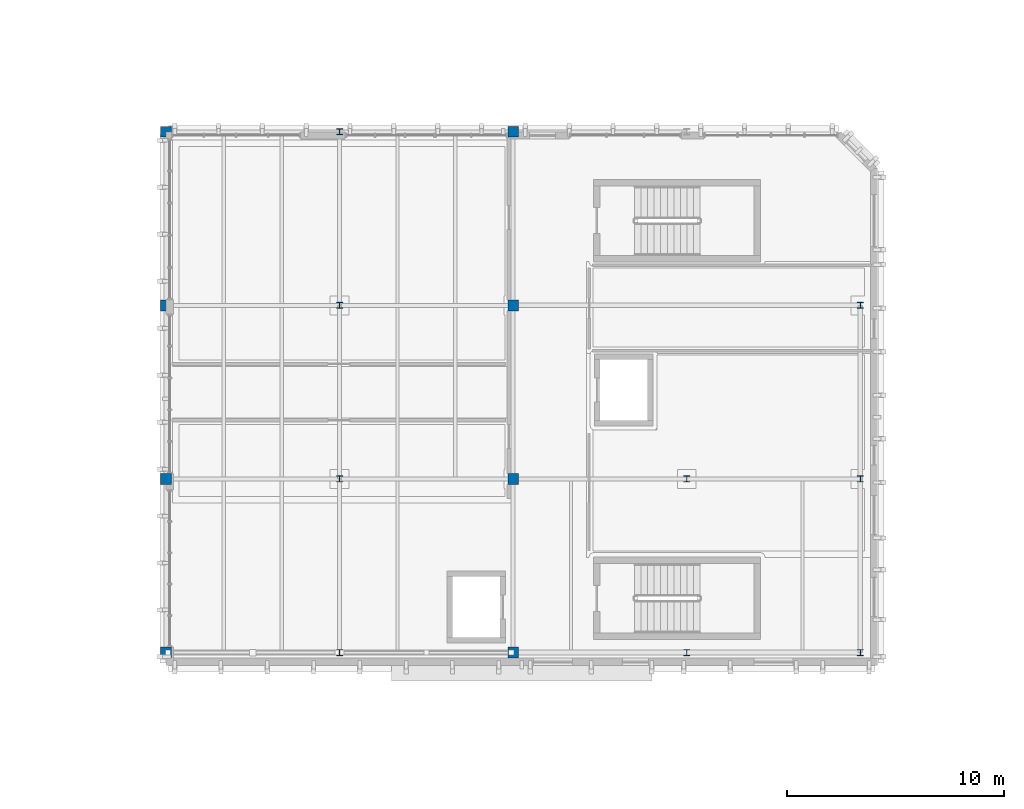
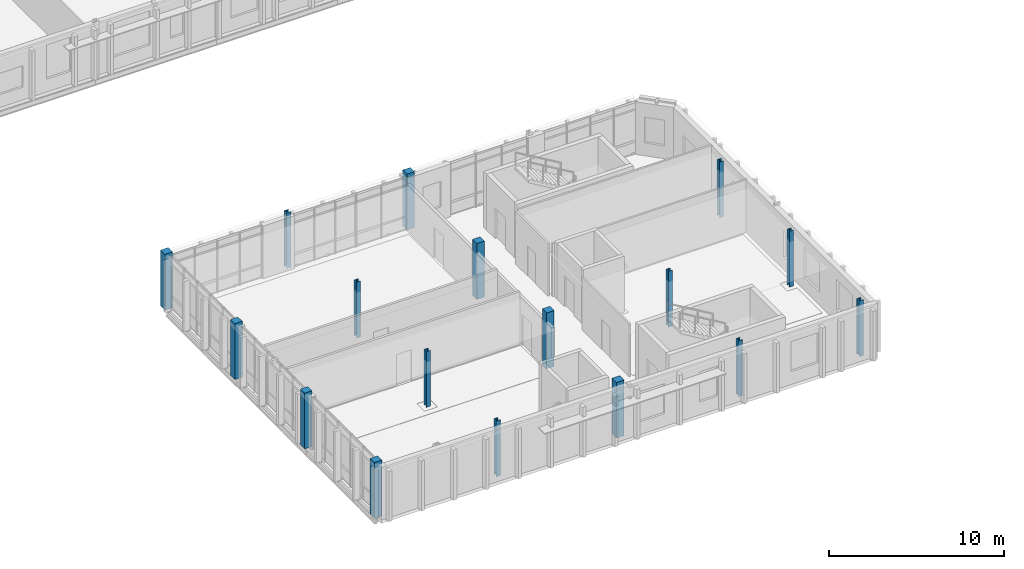
# One storey, part 1 of 40: 17 columns.
"""IFC4 building model written with IfcOpenShell, lengths in metres."""

from ifc_helpers import new_model, si_unit, direction, frame, origin, origin_2d, place, context, subcontext, project, spatial, rectangle, i_section, extrude, material, material_profile, profile_set, type_object, element, save


model = new_model("IFC4")

# Units and contexts
model_context = context("Model", 3, precision=1e-05, world=origin(), true_north=direction((0.0, 1.0)))
body_context = subcontext(model_context, "Body", "Model", "MODEL_VIEW")
ifc_project = project(units=[si_unit("LENGTHUNIT", "METRE"), si_unit("AREAUNIT", "SQUARE_METRE"), si_unit("VOLUMEUNIT", "CUBIC_METRE"), si_unit("PLANEANGLEUNIT", "RADIAN"), si_unit("MASSUNIT", "GRAM", prefix="KILO")], contexts=[model_context])

# Site, building, storey
site_placement = place(None, origin())
site = spatial("IfcSite", under=ifc_project, at=site_placement, CompositionType="ELEMENT")
building_placement = place(site_placement, origin())
building = spatial("IfcBuilding", under=site, at=building_placement, Name="Cymarion Research Institute", CompositionType="ELEMENT")
storey_placement = place(building_placement, frame((0.0, 0.0, 26.699951171875)))
storey = spatial("IfcBuildingStorey", under=building, at=storey_placement, Name="L06", CompositionType="ELEMENT", Elevation=26.699951171875)

# Columns
ifc_material_1 = material(Name="Steel S355", Category="steel")
ifc_material_profile_1 = material_profile(ifc_material_1, i_section(OverallWidth=0.280029296875, OverallDepth=0.280029296875, WebThickness=0.010498046875, FlangeThickness=0.01806640625, FilletRadius=0.02392578125, at=origin_2d()), Name="HEB 280")
ifc_profile_set_1 = profile_set([ifc_material_profile_1], Name="Steel S355")
column_type_1 = type_object("IfcColumnType", Name="STRUCTURAL COLUMN C09 HEB 280", PredefinedType="COLUMN", material=ifc_profile_set_1)
for number, where, z_axis, x_axis, name in (
    (1, (22.60009765625, 47.5, 0.0), (0.0, 0.0, 1.0), (1.0, 0.0, 0.0), "L06 V4 column C09 #1189"),
    (2, (22.60009765625, 55.5, 0.0), (0.0, 0.0, 1.0), (1.0, 0.0, 0.0), "L06 V4 column C09 #1190"),
    (3, (22.60009765625, 63.5, 0.0), (0.0, 0.0, 1.0), (1.0, 0.0, 0.0), "L06 V4 column C09 #1191"),
    (4, (22.60009765625, 71.5, 0.0), (0.0, 0.0, 1.0), (1.0, 0.0, 0.0), "L06 V4 column C09 #1192"),
    (5, (38.60009765625, 47.5, 0.0), (0.0, 0.0, 1.0), (1.0, 0.0, 0.0), "L06 V4 column C09 #1205"),
    (6, (38.60009765625, 55.5, 0.0), (0.0, 0.0, 1.0), (1.0, 0.0, 0.0), "L06 V4 column C09 #1206"),
    (7, (46.60009765625, 47.5, 0.0), (0.0, 0.0, 1.0), (1.0, 0.0, 0.0), "L06 V4 column C09 #1212"),
    (8, (46.60009765625, 55.5, 0.0), (0.0, 0.0, 1.0), (1.0, 0.0, 0.0), "L06 V4 column C09 #1213"),
    (9, (46.60009765625, 63.5, 0.0), (0.0, 0.0, 1.0), (1.0, 0.0, 0.0), "L06 V4 column C09 #1214"),
):
    element("IfcColumn", number, at=place(storey_placement, frame(where, z_axis=z_axis, x_axis=x_axis)), inside=storey, type_object=column_type_1, Name=name, PredefinedType="COLUMN", context=body_context, shape_type="SweptSolid", body=[
        extrude(i_section(OverallWidth=0.280029296875, OverallDepth=0.280029296875, WebThickness=0.010498046875, FlangeThickness=0.01806640625, FilletRadius=0.02392578125, at=origin_2d()), origin(), (0.0, 0.0, 1.0), 3.900146484375),
    ])
ifc_material_2 = material(Name="Concrete C40/50", Category="concrete")
ifc_material_profile_2 = material_profile(ifc_material_2, rectangle(XDim=0.5, YDim=0.5, at=origin_2d()), Name="RC 500x500")
ifc_profile_set_2 = profile_set([ifc_material_profile_2], Name="Concrete C40/50")
column_type_2 = type_object("IfcColumnType", Name="STRUCTURAL COLUMN C19 RC 500x500", PredefinedType="COLUMN", material=ifc_profile_set_2)
for number, where, z_axis, x_axis, name in (
    (10, (14.60009765625, 47.5, 0.0), (0.0, 0.0, 1.0), (1.0, 0.0, 0.0), "L06 V4 column C19 #1182"),
    (11, (14.60009765625, 55.5, 0.0), (0.0, 0.0, 1.0), (1.0, 0.0, 0.0), "L06 V4 column C19 #1183"),
    (12, (14.60009765625, 63.5, 0.0), (0.0, 0.0, 1.0), (1.0, 0.0, 0.0), "L06 V4 column C19 #1184"),
    (13, (14.60009765625, 71.5, 0.0), (0.0, 0.0, 1.0), (1.0, 0.0, 0.0), "L06 V4 column C19 #1185"),
    (14, (30.60009765625, 47.5, 0.0), (0.0, 0.0, 1.0), (1.0, 0.0, 0.0), "L06 V4 column C19 #1197"),
    (15, (30.60009765625, 55.5, 0.0), (0.0, 0.0, 1.0), (1.0, 0.0, 0.0), "L06 V4 column C19 #1198"),
    (16, (30.60009765625, 63.5, 0.0), (0.0, 0.0, 1.0), (1.0, 0.0, 0.0), "L06 V4 column C19 #1199"),
    (17, (30.60009765625, 71.5, 0.0), (0.0, 0.0, 1.0), (1.0, 0.0, 0.0), "L06 V4 column C19 #1200"),
):
    element("IfcColumn", number, at=place(storey_placement, frame(where, z_axis=z_axis, x_axis=x_axis)), inside=storey, type_object=column_type_2, Name=name, PredefinedType="COLUMN", context=body_context, shape_type="SweptSolid", body=[
        extrude(rectangle(XDim=0.5, YDim=0.5, at=origin_2d()), origin(), (0.0, 0.0, 1.0), 3.900146484375),
    ])

save(model, "model.ifc")
